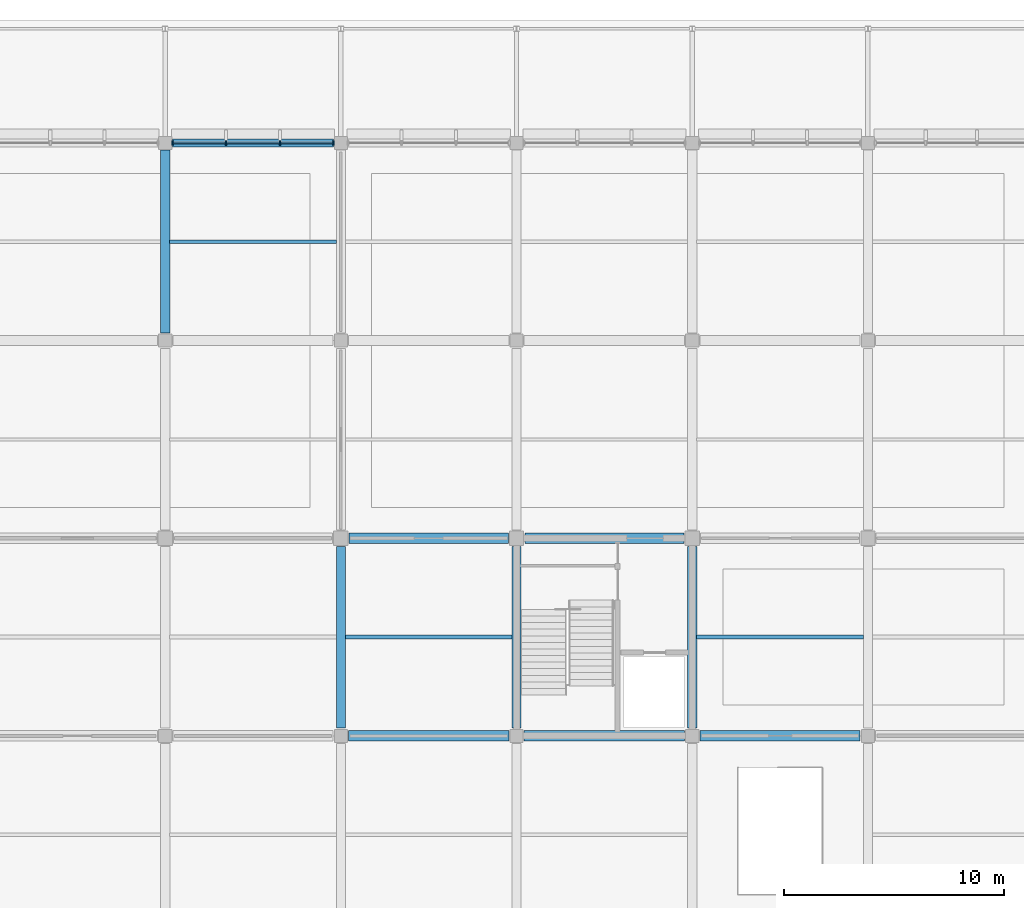
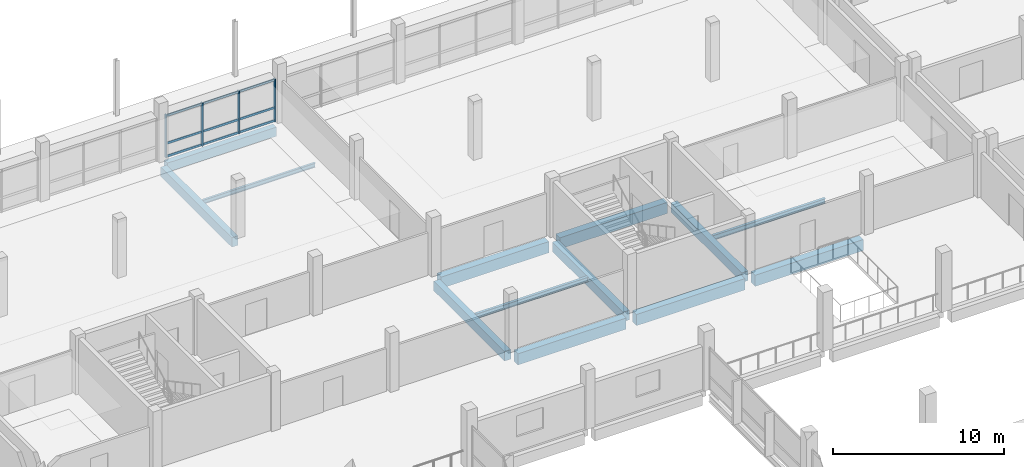
# One storey, part 21 of 57: 13 beams, 13 members, 1 element without a shape of its own.
"""IFC4 building model written with IfcOpenShell, lengths in metres."""

import ifcopenshell
import ifcopenshell.guid

model = None  # the IFC model being written
_history = None  # IfcOwnerHistory: only IFC2X3 demands one
_inside = {}  # id of a spatial element -> (the spatial element, [elements in it])
_under = {}  # id of a project, library or spatial element -> (it, [spatial elements below it])
_declared = {}  # id of a project -> (the project, [libraries it declares])
_typed = {}  # id of a type object -> (the type object, [elements of that type])
_made_of = {}  # id of a material, layer set ... -> (it, [elements and type objects made of it])


def new_model(schema):
    """Start an empty IFC model of exactly this schema.

    Asked for "IFC4X3", IfcOpenShell would pick the latest addendum, in which some entities
    have other attributes; the version numbers below select the first issue.
    IFC2X3 requires an IfcOwnerHistory on every rooted entity: one is made here for all.
    """
    global model, _history
    if schema == "IFC4X3":
        model = ifcopenshell.file(schema_version=(4, 3, 0, 0))
    else:
        model = ifcopenshell.file(schema=schema)
    _inside.clear()
    _under.clear()
    _declared.clear()
    _typed.clear()
    _made_of.clear()
    _history = None
    if model.schema == "IFC2X3":
        org = make("IfcOrganization", Name="unknown")
        user = make(
            "IfcPersonAndOrganization",
            ThePerson=make("IfcPerson", FamilyName="unknown"),
            TheOrganization=org,
        )
        app = make(
            "IfcApplication",
            ApplicationDeveloper=org,
            Version="unknown",
            ApplicationFullName="unknown",
            ApplicationIdentifier="unknown",
        )
        _history = make(
            "IfcOwnerHistory",
            OwningUser=user,
            OwningApplication=app,
            ChangeAction="ADDED",
            CreationDate=0,
        )
    return model


def make(cls, **values):
    """One entity of the class cls with the attributes given. An attribute that is None is left unset."""
    return model.create_entity(
        cls, **{name: value for name, value in values.items() if value is not None}
    )


def rooted(cls, **values):
    """An entity with a GlobalId (a new one), such as an element, a storey or a relation."""
    return make(cls, GlobalId=ifcopenshell.guid.new(), OwnerHistory=_history, **values)


def si_unit(unit_type, name, prefix=None):
    """IfcSIUnit, for example si_unit("LENGTHUNIT", "METRE", prefix="MILLI")."""
    return make("IfcSIUnit", UnitType=unit_type, Prefix=prefix, Name=name)


def assignment(units):
    """IfcUnitAssignment: the units of a project."""
    return None if units is None else make("IfcUnitAssignment", Units=units)


def point(xyz):
    """IfcCartesianPoint."""
    return None if xyz is None else make("IfcCartesianPoint", Coordinates=xyz)


def direction(xyz):
    """IfcDirection."""
    return None if xyz is None else make("IfcDirection", DirectionRatios=xyz)


def frame(location, z_axis=None, x_axis=None):
    """IfcAxis2Placement3D, a coordinate frame: its origin and axes. An axis left out is left unset."""
    return make(
        "IfcAxis2Placement3D",
        Location=point(location),
        Axis=direction(z_axis),
        RefDirection=direction(x_axis),
    )


def frame_2d(location, x_axis=None):
    """IfcAxis2Placement2D, a coordinate frame in the plane: its origin and x axis."""
    return make(
        "IfcAxis2Placement2D", Location=point(location), RefDirection=direction(x_axis)
    )


def origin():
    """The frame at (0, 0, 0) with its axes left unset."""
    return frame((0.0, 0.0, 0.0))


def origin_2d():
    """The frame at (0, 0) in the plane with its x axis left unset."""
    return frame_2d((0.0, 0.0))


def place(relative_to, where):
    """IfcLocalPlacement: puts the frame where relative to a parent placement (None: the world)."""
    return make(
        "IfcLocalPlacement", PlacementRelTo=relative_to, RelativePlacement=where
    )


def context(
    kind, dimensions, precision=None, world=None, true_north=None, identifier=None
):
    """IfcGeometricRepresentationContext, for example the 3D "Model" context."""
    return make(
        "IfcGeometricRepresentationContext",
        ContextIdentifier=identifier,
        ContextType=kind,
        CoordinateSpaceDimension=dimensions,
        Precision=precision,
        WorldCoordinateSystem=world,
        TrueNorth=true_north,
    )


def subcontext(parent, identifier, kind, view, scale=None):
    """IfcGeometricRepresentationSubContext, for example "Body" below "Model"."""
    return make(
        "IfcGeometricRepresentationSubContext",
        ContextIdentifier=identifier,
        ContextType=kind,
        ParentContext=parent,
        TargetScale=scale,
        TargetView=view,
    )


def project(units=None, contexts=None):
    """IfcProject with its units and contexts."""
    return rooted(
        "IfcProject",
        Name="project",
        RepresentationContexts=contexts,
        UnitsInContext=assignment(units),
    )


def spatial(cls, under=None, at=None, **own):
    """A site, building, storey or space (cls), placed at a placement, below another one or the project."""
    s = rooted(cls, ObjectPlacement=at, **own)
    if under is not None:
        _under.setdefault(under.id(), (under, []))[1].append(s)
    return s


def profile(cls, at=None, kind="AREA", **sizes):
    """A parametric profile (cls). Its sizes go by their IFC names, for example OverallWidth=200.0."""
    return make(cls, ProfileType=kind, Position=at, **sizes)


def rectangle(**sizes):
    """IfcRectangleProfileDef."""
    return profile("IfcRectangleProfileDef", **sizes)


def i_section(**sizes):
    """IfcIShapeProfileDef."""
    return profile("IfcIShapeProfileDef", **sizes)


def extrude(swept, where, along, depth):
    """IfcExtrudedAreaSolid: the profile swept, set in the frame where, extruded along a direction by depth."""
    return make(
        "IfcExtrudedAreaSolid",
        SweptArea=swept,
        Position=where,
        ExtrudedDirection=direction(along),
        Depth=depth,
    )


def shape(context_of_items, identifier, shape_type, items):
    """IfcShapeRepresentation: the items that make up one representation, for example the "Body"."""
    return make(
        "IfcShapeRepresentation",
        ContextOfItems=context_of_items,
        RepresentationIdentifier=identifier,
        RepresentationType=shape_type,
        Items=items,
    )


def material(Name=None, Category=None):
    """IfcMaterial."""
    return make("IfcMaterial", Name=Name, Category=Category)


def material_profile(
    of_material, cross_section, Name=None, Category=None, Priority=None
):
    """IfcMaterialProfile: a cross section and its material."""
    return make(
        "IfcMaterialProfile",
        Name=Name,
        Material=of_material,
        Profile=cross_section,
        Priority=Priority,
        Category=Category,
    )


def profile_set(profiles, Name=None, composite=None):
    """IfcMaterialProfileSet."""
    return make(
        "IfcMaterialProfileSet",
        Name=Name,
        MaterialProfiles=profiles,
        CompositeProfile=composite,
    )


def made_of(thing, what):
    """Note that an element or type object is made of a material, layer set ...; save() writes the relation."""
    if what is not None:
        _made_of.setdefault(what.id(), (what, []))[1].append(thing)
    return thing


def type_object(cls, material=None, **own):
    """A type object (cls), such as IfcWallType, which elements share."""
    return made_of(rooted(cls, **own), material)


def element(
    cls,
    number,
    at=None,
    inside=None,
    cuts=None,
    type_object=None,
    material=None,
    context=None,
    identifier="Body",
    shape_type=None,
    held_by="IfcProductDefinitionShape",
    body=None,
    shapes=None,
    **own,
):
    """One element of the class cls, such as IfcWall. Its Tag is "e" and its number.

    at: its placement. inside: the storey or other place that contains it. cuts: it is an
    opening in that element (IfcRelVoidsElement). A single representation is given by context,
    identifier, shape_type and body (its items); several are given by shapes. held_by: the class
    of the entity that holds the representations. save() writes the other relations.
    """
    e = rooted(cls, Tag="e%d" % number, ObjectPlacement=at, **own)
    if body is not None:
        shapes = [shape(context, identifier, shape_type, body)]
    if shapes is not None:
        e.Representation = make(held_by, Representations=shapes)
    if inside is not None:
        _inside.setdefault(inside.id(), (inside, []))[1].append(e)
    if cuts is not None:
        rooted(
            "IfcRelVoidsElement", RelatingBuildingElement=cuts, RelatedOpeningElement=e
        )
    if type_object is not None:
        _typed.setdefault(type_object.id(), (type_object, []))[1].append(e)
    return made_of(e, material)


def aggregate(whole, parts):
    """IfcRelAggregates: a whole, such as a stair, and the parts it consists of."""
    return rooted("IfcRelAggregates", RelatingObject=whole, RelatedObjects=parts)


def save(model, path):
    """Write the relations noted so far, then the file.

    IfcRelAggregates (storeys below a building ...), IfcRelContainedInSpatialStructure (elements
    in a storey), IfcRelDefinesByType, IfcRelAssociatesMaterial and IfcRelDeclares: one each for
    every whole, place, type object, material and project.
    """
    for whole, parts in _under.values():
        aggregate(whole, parts)
    for where, things in _inside.values():
        rooted(
            "IfcRelContainedInSpatialStructure",
            RelatedElements=things,
            RelatingStructure=where,
        )
    for kind, things in _typed.values():
        rooted("IfcRelDefinesByType", RelatedObjects=things, RelatingType=kind)
    for what, things in _made_of.values():
        rooted("IfcRelAssociatesMaterial", RelatedObjects=things, RelatingMaterial=what)
    for by, libraries in _declared.values():
        rooted("IfcRelDeclares", RelatingContext=by, RelatedDefinitions=libraries)
    model.write(path)


model = new_model("IFC4")

# Units and contexts
model_context = context("Model", 3, precision=1e-05, world=origin(), true_north=direction((0.0, 1.0)))
body_context = subcontext(model_context, "Body", "Model", "MODEL_VIEW")
ifc_project = project(units=[si_unit("LENGTHUNIT", "METRE"), si_unit("AREAUNIT", "SQUARE_METRE"), si_unit("VOLUMEUNIT", "CUBIC_METRE"), si_unit("PLANEANGLEUNIT", "RADIAN"), si_unit("MASSUNIT", "GRAM", prefix="KILO"), si_unit("THERMODYNAMICTEMPERATUREUNIT", "KELVIN"), si_unit("POWERUNIT", "WATT")], contexts=[model_context])

# Site, building, storey
site_placement = place(None, origin())
site = spatial("IfcSite", under=ifc_project, at=site_placement, CompositionType="ELEMENT")
building_placement = place(site_placement, origin())
building = spatial("IfcBuilding", under=site, at=building_placement, Name="Kronsvod Quay Wholesale Market", CompositionType="ELEMENT")
storey_placement = place(building_placement, frame((0.0, 0.0, 4.800048828125)))
storey = spatial("IfcBuildingStorey", under=building, at=storey_placement, Name="L01", CompositionType="ELEMENT", Elevation=4.800048828125)

# Beams
ifc_material_1 = material(Name="Precast concrete C40/50", Category="concrete")
ifc_material_profile_1 = material_profile(ifc_material_1, rectangle(XDim=0.419921875, YDim=0.679931640625, at=origin_2d()), Name="PB-05")
ifc_profile_set_1 = profile_set([ifc_material_profile_1], Name="Precast concrete C40/50")
beam_type_1 = type_object("IfcBeamType", Name="Beam_PCB420x680", PredefinedType="BEAM", material=ifc_profile_set_1)
beam_1_placement = place(storey_placement, frame((88.0, 117.35009765625, -0.64013671875), z_axis=(0.0, 1.0, 0.0), x_axis=(-1.0, 0.0, 0.0)))
element("IfcBeam", 1, at=beam_1_placement, inside=storey, type_object=beam_type_1, Name="BMY-L01-880-1170", PredefinedType="BEAM", context=body_context, shape_type="SweptSolid", body=[
    extrude(rectangle(XDim=0.419921875, YDim=0.679931640625, at=origin_2d()), origin(), (0.0, 0.0, 1.0), 8.324951171875),
])
for number, where, z_axis, x_axis, name in (
    (2, (96.0, 99.35009765625, -0.64013671875), (0.0, 1.0, 0.0), (-1.0, 0.0, 0.0), "BMY-L01-960-990"),
    (3, (104.0, 99.35009765625, -0.64013671875), (0.0, 1.0, 0.0), (-1.0, 0.0, 0.0), "BMY-L01-1040-990"),
    (4, (112.0, 99.35009765625, -0.64013671875), (0.0, 1.0, 0.0), (-1.0, 0.0, 0.0), "BMY-L01-1120-990"),
):
    element("IfcBeam", number, at=place(storey_placement, frame(where, z_axis=z_axis, x_axis=x_axis)), inside=storey, type_object=beam_type_1, Name=name, PredefinedType="BEAM", context=body_context, shape_type="SweptSolid", body=[
        extrude(rectangle(XDim=0.419921875, YDim=0.679931640625, at=origin_2d()), origin(), (0.0, 0.0, 1.0), 8.27490234375),
    ])
ifc_material_2 = material(Name="Precast concrete C40/50", Category="concrete")
ifc_material_profile_2 = material_profile(ifc_material_2, rectangle(XDim=0.47998046875, YDim=0.800048828125, at=origin_2d()), Name="PB-04")
ifc_profile_set_2 = profile_set([ifc_material_profile_2], Name="Precast concrete C40/50")
beam_type_2 = type_object("IfcBeamType", Name="Beam_PCB480x800", PredefinedType="BEAM", material=ifc_profile_set_2)
for number, where, z_axis, x_axis, name in (
    (5, (96.35009765625, 99.0, -0.699951171875), (1.0, 0.0, 0.0), (0.0, 1.0, 0.0), "BMX-L01-960-990"),
    (6, (104.35009765625, 99.0, -0.699951171875), (1.0, 0.0, 0.0), (0.0, 1.0, 0.0), "BMX-L01-1040-990"),
    (7, (112.35009765625, 99.0, -0.699951171875), (1.0, 0.0, 0.0), (0.0, 1.0, 0.0), "BMX-L01-1120-990"),
):
    element("IfcBeam", number, at=place(storey_placement, frame(where, z_axis=z_axis, x_axis=x_axis)), inside=storey, type_object=beam_type_2, Name=name, PredefinedType="BEAM", context=body_context, shape_type="SweptSolid", body=[
        extrude(rectangle(XDim=0.47998046875, YDim=0.800048828125, at=origin_2d()), origin(), (0.0, 0.0, 1.0), 7.2998046875),
    ])
for number, where, z_axis, x_axis, name in (
    (8, (96.375, 108.0, -0.699951171875), (1.0, 0.0, 0.0), (0.0, 1.0, 0.0), "BMX-L01-960-1080"),
    (9, (104.375, 108.0, -0.699951171875), (1.0, 0.0, 0.0), (0.0, 1.0, 0.0), "BMX-L01-1040-1080"),
):
    element("IfcBeam", number, at=place(storey_placement, frame(where, z_axis=z_axis, x_axis=x_axis)), inside=storey, type_object=beam_type_2, Name=name, PredefinedType="BEAM", context=body_context, shape_type="SweptSolid", body=[
        extrude(rectangle(XDim=0.47998046875, YDim=0.800048828125, at=origin_2d()), origin(), (0.0, 0.0, 1.0), 7.25),
    ])
ifc_material_3 = material(Name="Steel S355", Category="steel")
ifc_material_profile_3 = material_profile(ifc_material_3, i_section(OverallWidth=0.14892578125, OverallDepth=0.298095703125, WebThickness=0.005615234375, FlangeThickness=0.008056640625, FilletRadius=0.012939453125, at=origin_2d()), Name="30B1")
ifc_profile_set_3 = profile_set([ifc_material_profile_3], Name="Steel S355")
beam_type_3 = type_object("IfcBeamType", Name="Joist_Steel30B1", PredefinedType="JOIST", material=ifc_profile_set_3)
beam_2_placement = place(storey_placement, frame((88.205078125, 121.5, -0.399169921875), z_axis=(1.0, 0.0, 0.0), x_axis=(0.0, 1.0, 0.0)))
element("IfcBeam", 10, at=beam_2_placement, inside=storey, type_object=beam_type_3, Name="JSTX-L01-880-1170", PredefinedType="JOIST", context=body_context, shape_type="SweptSolid", body=[
    extrude(i_section(OverallWidth=0.14892578125, OverallDepth=0.298095703125, WebThickness=0.005615234375, FlangeThickness=0.008056640625, FilletRadius=0.012939453125, at=origin_2d()), origin(), (0.0, 0.0, 1.0), 7.58984375),
])
ifc_material_4 = material(Name="Steel S355", Category="steel")
ifc_material_profile_4 = material_profile(ifc_material_4, i_section(OverallWidth=0.175048828125, OverallDepth=0.35009765625, WebThickness=0.007080078125, FlangeThickness=0.010986328125, FilletRadius=0.013916015625, at=origin_2d()), Name="35B2")
ifc_profile_set_4 = profile_set([ifc_material_profile_4], Name="Steel S355")
beam_type_4 = type_object("IfcBeamType", Name="Joist_Steel35B2", PredefinedType="JOIST", material=ifc_profile_set_4)
for number, where, z_axis, x_axis, name in (
    (11, (96.205078125, 103.5, -0.425048828125), (1.0, 0.0, 0.0), (0.0, 1.0, 0.0), "JSTX-L01-960-990"),
    (12, (112.205078125, 103.5, -0.425048828125), (1.0, 0.0, 0.0), (0.0, 1.0, 0.0), "JSTX-L01-1120-990"),
):
    element("IfcBeam", number, at=place(storey_placement, frame(where, z_axis=z_axis, x_axis=x_axis)), inside=storey, type_object=beam_type_4, Name=name, PredefinedType="JOIST", context=body_context, shape_type="SweptSolid", body=[
        extrude(i_section(OverallWidth=0.175048828125, OverallDepth=0.35009765625, WebThickness=0.007080078125, FlangeThickness=0.010986328125, FilletRadius=0.013916015625, at=origin_2d()), origin(), (0.0, 0.0, 1.0), 7.58984375),
    ])

# Curtain wall, members
ifc_material_5 = material(Name="Thermally broken aluminium and triple low-E glazing", Category="aluminium")
curtain_wall_type = type_object("IfcCurtainWallType", Name="CW_Harbour80x33", PredefinedType="NOTDEFINED", material=ifc_material_5)
curtain_wall_placement = place(storey_placement, origin())
curtain_wall = element("IfcCurtainWall", 13, at=curtain_wall_placement, inside=storey, type_object=curtain_wall_type, Name="CWGX-L01-880-1260", PredefinedType="NOTDEFINED")
ifc_material_6 = material(Name="Anodised aluminium", Category="aluminium")
ifc_material_profile_5 = material_profile(ifc_material_6, rectangle(XDim=0.074951171875, YDim=0.199951171875, at=origin_2d()), Name="ALUM75x200")
ifc_profile_set_5 = profile_set([ifc_material_profile_5], Name="Anodised aluminium")
member_type_1 = type_object("IfcMemberType", Name="Mullion_ALU75x200", PredefinedType="MULLION", material=ifc_profile_set_5)
member_1_placement = place(storey_placement, frame((95.66748046875, 126.0, 0.0), z_axis=(0.0, 0.0, 1.0), x_axis=(1.0, 0.0, 0.0)))
member_1 = element("IfcMember", 14, at=member_1_placement, type_object=member_type_1, Name="CWGX-L01-880-1260-M1", PredefinedType="MULLION", context=body_context, shape_type="SweptSolid", body=[
    extrude(rectangle(XDim=0.074951171875, YDim=0.199951171875, at=origin_2d()), origin(), (0.0, 0.0, 1.0), 3.050048828125),
])
member_2_placement = place(storey_placement, frame((93.235107421875, 126.0, 0.0), z_axis=(0.0, 0.0, 1.0), x_axis=(1.0, 0.0, 0.0)))
member_2 = element("IfcMember", 15, at=member_2_placement, type_object=member_type_1, Name="CWGX-L01-880-1260-M2", PredefinedType="MULLION", context=body_context, shape_type="SweptSolid", body=[
    extrude(rectangle(XDim=0.074951171875, YDim=0.199951171875, at=origin_2d()), origin(), (0.0, 0.0, 1.0), 3.050048828125),
])
member_3_placement = place(storey_placement, frame((90.764892578125, 126.0, 0.0), z_axis=(0.0, 0.0, 1.0), x_axis=(1.0, 0.0, 0.0)))
member_3 = element("IfcMember", 16, at=member_3_placement, type_object=member_type_1, Name="CWGX-L01-880-1260-M3", PredefinedType="MULLION", context=body_context, shape_type="SweptSolid", body=[
    extrude(rectangle(XDim=0.074951171875, YDim=0.199951171875, at=origin_2d()), origin(), (0.0, 0.0, 1.0), 3.050048828125),
])
member_4_placement = place(storey_placement, frame((88.33251953125, 126.0, 0.0), z_axis=(0.0, 0.0, 1.0), x_axis=(1.0, 0.0, 0.0)))
member_4 = element("IfcMember", 17, at=member_4_placement, type_object=member_type_1, Name="CWGX-L01-880-1260-M4", PredefinedType="MULLION", context=body_context, shape_type="SweptSolid", body=[
    extrude(rectangle(XDim=0.074951171875, YDim=0.199951171875, at=origin_2d()), origin(), (0.0, 0.0, 1.0), 3.050048828125),
])

# Beam
ifc_material_7 = material(Name="Precast concrete C40/50", Category="concrete")
ifc_material_profile_6 = material_profile(ifc_material_7, rectangle(XDim=0.3798828125, YDim=0.64990234375, at=origin_2d()), Name="SPB-03")
ifc_profile_set_6 = profile_set([ifc_material_profile_6], Name="Precast concrete C40/50")
beam_type_5 = type_object("IfcBeamType", Name="Spandrel_PCSP380x650", PredefinedType="SPANDREL", material=ifc_profile_set_6)
beam_3_placement = place(storey_placement, frame((88.324951171875, 126.0, -0.625), z_axis=(1.0, 0.0, 0.0), x_axis=(0.0, 1.0, 0.0)))
element("IfcBeam", 18, at=beam_3_placement, inside=storey, type_object=beam_type_5, Name="BMX-L01-880-1260", PredefinedType="SPANDREL", context=body_context, shape_type="SweptSolid", body=[
    extrude(rectangle(XDim=0.3798828125, YDim=0.64990234375, at=origin_2d()), origin(), (0.0, 0.0, 1.0), 7.35009765625),
])

# Member
ifc_material_8 = material(Name="Anodised aluminium", Category="aluminium")
ifc_material_profile_7 = material_profile(ifc_material_8, rectangle(XDim=0.074951171875, YDim=0.14990234375, at=origin_2d()), Name="ALUT75x150")
ifc_profile_set_7 = profile_set([ifc_material_profile_7], Name="Anodised aluminium")
member_type_2 = type_object("IfcMemberType", Name="Transom_ALU75x150", PredefinedType="USERDEFINED", material=ifc_profile_set_7)
member_5_placement = place(storey_placement, frame((95.6298828125, 126.0, 0.074951171875), z_axis=(-1.0, 0.0, 0.0), x_axis=(0.0, -1.0, 0.0)))
member_5 = element("IfcMember", 19, at=member_5_placement, type_object=member_type_2, Name="CWGX-L01-880-1260-T1B1", ObjectType="TRANSOM", PredefinedType="USERDEFINED", context=body_context, shape_type="SweptSolid", body=[
    extrude(rectangle(XDim=0.074951171875, YDim=0.14990234375, at=origin_2d()), origin(), (0.0, 0.0, 1.0), 2.357421875),
])

member_6_placement = place(storey_placement, frame((93.197509765625, 126.0, 0.074951171875), z_axis=(-1.0, 0.0, 0.0), x_axis=(0.0, -1.0, 0.0)))
member_6 = element("IfcMember", 20, at=member_6_placement, type_object=member_type_2, Name="CWGX-L01-880-1260-T1B2", ObjectType="TRANSOM", PredefinedType="USERDEFINED", context=body_context, shape_type="SweptSolid", body=[
    extrude(rectangle(XDim=0.074951171875, YDim=0.14990234375, at=origin_2d()), origin(), (0.0, 0.0, 1.0), 2.39501953125),
])

member_7_placement = place(storey_placement, frame((90.7275390625, 126.0, 0.074951171875), z_axis=(-1.0, 0.0, 0.0), x_axis=(0.0, -1.0, 0.0)))
member_7 = element("IfcMember", 21, at=member_7_placement, type_object=member_type_2, Name="CWGX-L01-880-1260-T1B3", ObjectType="TRANSOM", PredefinedType="USERDEFINED", context=body_context, shape_type="SweptSolid", body=[
    extrude(rectangle(XDim=0.074951171875, YDim=0.14990234375, at=origin_2d()), origin(), (0.0, 0.0, 1.0), 2.357421875),
])

member_8_placement = place(storey_placement, frame((95.6298828125, 126.0, 1.0), z_axis=(-1.0, 0.0, 0.0), x_axis=(0.0, -1.0, 0.0)))
member_8 = element("IfcMember", 22, at=member_8_placement, type_object=member_type_2, Name="CWGX-L01-880-1260-T2B1", ObjectType="TRANSOM", PredefinedType="USERDEFINED", context=body_context, shape_type="SweptSolid", body=[
    extrude(rectangle(XDim=0.074951171875, YDim=0.14990234375, at=origin_2d()), origin(), (0.0, 0.0, 1.0), 2.357421875),
])

member_9_placement = place(storey_placement, frame((93.197509765625, 126.0, 1.0), z_axis=(-1.0, 0.0, 0.0), x_axis=(0.0, -1.0, 0.0)))
member_9 = element("IfcMember", 23, at=member_9_placement, type_object=member_type_2, Name="CWGX-L01-880-1260-T2B2", ObjectType="TRANSOM", PredefinedType="USERDEFINED", context=body_context, shape_type="SweptSolid", body=[
    extrude(rectangle(XDim=0.074951171875, YDim=0.14990234375, at=origin_2d()), origin(), (0.0, 0.0, 1.0), 2.39501953125),
])

member_10_placement = place(storey_placement, frame((90.7275390625, 126.0, 1.0), z_axis=(-1.0, 0.0, 0.0), x_axis=(0.0, -1.0, 0.0)))
member_10 = element("IfcMember", 24, at=member_10_placement, type_object=member_type_2, Name="CWGX-L01-880-1260-T2B3", ObjectType="TRANSOM", PredefinedType="USERDEFINED", context=body_context, shape_type="SweptSolid", body=[
    extrude(rectangle(XDim=0.074951171875, YDim=0.14990234375, at=origin_2d()), origin(), (0.0, 0.0, 1.0), 2.357421875),
])

member_11_placement = place(storey_placement, frame((95.6298828125, 126.0, 2.974853515625), z_axis=(-1.0, 0.0, 0.0), x_axis=(0.0, -1.0, 0.0)))
member_11 = element("IfcMember", 25, at=member_11_placement, type_object=member_type_2, Name="CWGX-L01-880-1260-T3B1", ObjectType="TRANSOM", PredefinedType="USERDEFINED", context=body_context, shape_type="SweptSolid", body=[
    extrude(rectangle(XDim=0.074951171875, YDim=0.14990234375, at=origin_2d()), origin(), (0.0, 0.0, 1.0), 2.357421875),
])

member_12_placement = place(storey_placement, frame((93.197509765625, 126.0, 2.974853515625), z_axis=(-1.0, 0.0, 0.0), x_axis=(0.0, -1.0, 0.0)))
member_12 = element("IfcMember", 26, at=member_12_placement, type_object=member_type_2, Name="CWGX-L01-880-1260-T3B2", ObjectType="TRANSOM", PredefinedType="USERDEFINED", context=body_context, shape_type="SweptSolid", body=[
    extrude(rectangle(XDim=0.074951171875, YDim=0.14990234375, at=origin_2d()), origin(), (0.0, 0.0, 1.0), 2.39501953125),
])

member_13_placement = place(storey_placement, frame((90.7275390625, 126.0, 2.974853515625), z_axis=(-1.0, 0.0, 0.0), x_axis=(0.0, -1.0, 0.0)))
member_13 = element("IfcMember", 27, at=member_13_placement, type_object=member_type_2, Name="CWGX-L01-880-1260-T3B3", ObjectType="TRANSOM", PredefinedType="USERDEFINED", context=body_context, shape_type="SweptSolid", body=[
    extrude(rectangle(XDim=0.074951171875, YDim=0.14990234375, at=origin_2d()), origin(), (0.0, 0.0, 1.0), 2.357421875),
])

aggregate(curtain_wall, [member_1, member_2, member_3, member_4, member_5, member_6, member_7, member_8, member_9, member_10, member_11, member_12, member_13])

save(model, "model.ifc")
